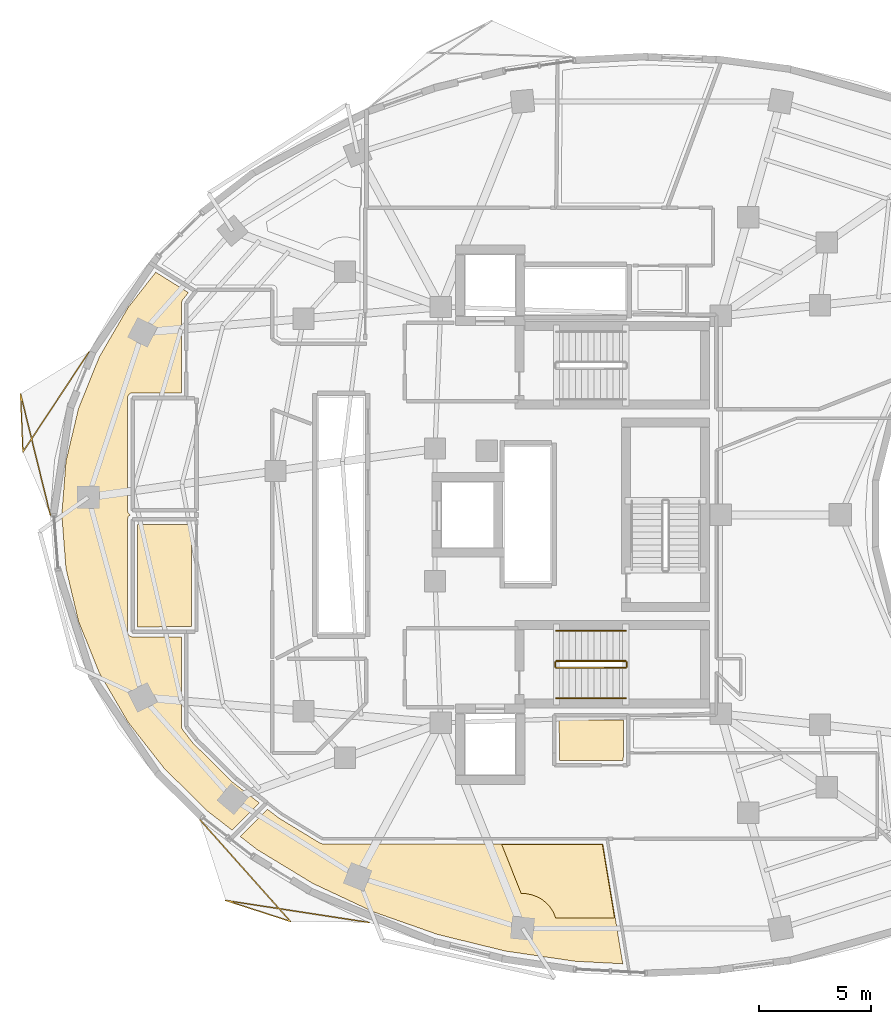
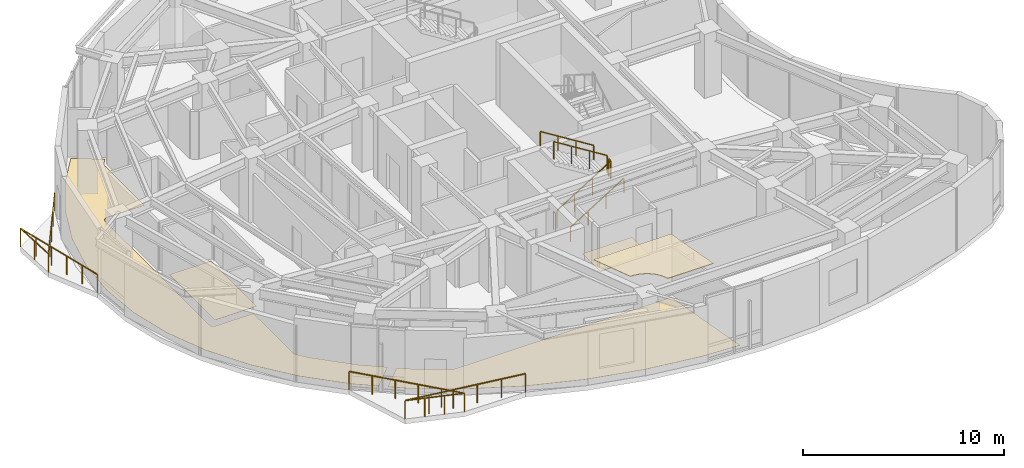
# One storey, part 11 of 13: 8 railings, 5 coverings.
"""IFC4 building model written with IfcOpenShell, lengths in metres."""

from ifc_helpers import new_model, si_unit, direction, frame, origin, origin_2d, place, context, subcontext, project, spatial, polyline, rectangle, outline, extrude, material, layer, layer_set, type_object, element, save


model = new_model("IFC4")

# Units and contexts
model_context = context("Model", 3, precision=1e-05, world=origin(), true_north=direction((0.0, 1.0)))
body_context = subcontext(model_context, "Body", "Model", "MODEL_VIEW")
ifc_project = project(units=[si_unit("LENGTHUNIT", "METRE"), si_unit("AREAUNIT", "SQUARE_METRE"), si_unit("VOLUMEUNIT", "CUBIC_METRE"), si_unit("PLANEANGLEUNIT", "RADIAN"), si_unit("MASSUNIT", "GRAM", prefix="KILO")], contexts=[model_context])

# Site, building, storey
site_placement = place(None, origin())
site = spatial("IfcSite", under=ifc_project, at=site_placement, CompositionType="ELEMENT")
building_placement = place(site_placement, origin())
building = spatial("IfcBuilding", under=site, at=building_placement, Name="Korentha Bioscience Tower", CompositionType="ELEMENT")
storey_placement = place(building_placement, frame((0.0, 0.0, 187.800048828125)))
storey = spatial("IfcBuildingStorey", under=building, at=storey_placement, Name="L43", CompositionType="ELEMENT", Elevation=187.800048828125)

# Railings
ifc_material_1 = material(Name="Stainless Steel 304", Category="steel")
railing_type_1 = type_object("IfcRailingType", Name="Brushed Stainless Stair Handrail 900", PredefinedType="HANDRAIL", material=ifc_material_1)
railing_1_placement = place(storey_placement, frame((30.25, 18.85009765625, 0.175048828125)))
element("IfcRailing", 1, at=railing_1_placement, inside=storey, type_object=railing_type_1, Name="L43 ST-2 stair handrail 1", PredefinedType="HANDRAIL", context=body_context, shape_type="SweptSolid", body=[
    extrude(rectangle(XDim=0.048095703125, YDim=0.048095703125, at=origin_2d()), frame((0.0, 0.0, 0.8759765625), z_axis=(0.848028513186, 0.0, 0.529950602248), x_axis=(0.0, 1.0, 0.0)), (0.0, 0.0, 1.0), 3.632080078125),
    extrude(rectangle(XDim=0.0419921875, YDim=0.0419921875, at=origin_2d()), origin(), (0.0, 0.0, 1.0), 0.851806640625),
    extrude(rectangle(XDim=0.0419921875, YDim=0.0419921875, at=origin_2d()), frame((1.026611328125, 0.0, 0.6416015625)), (0.0, 0.0, 1.0), 0.851806640625),
    extrude(rectangle(XDim=0.0419921875, YDim=0.0419921875, at=origin_2d()), frame((2.053466796875, 0.0, 1.283203125)), (0.0, 0.0, 1.0), 0.851806640625),
    extrude(rectangle(XDim=0.0419921875, YDim=0.0419921875, at=origin_2d()), frame((3.080078125, 0.0, 1.9248046875)), (0.0, 0.0, 1.0), 0.851806640625),
])
railing_2_placement = place(storey_placement, frame((33.330078125, 21.85009765625, 2.27490234375)))
element("IfcRailing", 2, at=railing_2_placement, inside=storey, type_object=railing_type_1, Name="L43 ST-2 stair handrail 2", PredefinedType="HANDRAIL", context=body_context, shape_type="SweptSolid", body=[
    extrude(rectangle(XDim=0.048095703125, YDim=0.048095703125, at=origin_2d()), frame((0.0, 0.0, 0.8759765625), z_axis=(-0.847998304005, 0.0, 0.529998940003), x_axis=(0.0, -1.0, 0.0)), (0.0, 0.0, 1.0), 3.632080078125),
    extrude(rectangle(XDim=0.0419921875, YDim=0.0419921875, at=origin_2d()), origin(), (0.0, 0.0, 1.0), 0.851806640625),
    extrude(rectangle(XDim=0.0419921875, YDim=0.0419921875, at=origin_2d()), frame((-1.026611328125, 0.0, 0.6416015625)), (0.0, 0.0, 1.0), 0.851806640625),
    extrude(rectangle(XDim=0.0419921875, YDim=0.0419921875, at=origin_2d()), frame((-2.053466796875, 0.0, 1.283447265625)), (0.0, 0.0, 1.0), 0.851806640625),
    extrude(rectangle(XDim=0.0419921875, YDim=0.0419921875, at=origin_2d()), frame((-3.080078125, 0.0, 1.925048828125)), (0.0, 0.0, 1.0), 0.851806640625),
])
ifc_material_2 = material(Name="Laminated Tempered Safety Glass", Category="glass")
railing_type_2 = type_object("IfcRailingType", Name="Laminated Glass Balcony Guardrail 1150", PredefinedType="BALUSTRADE", material=ifc_material_2)
railing_3_placement = place(storey_placement, frame((9.454833984375, 34.246337890625, 0.0)))
element("IfcRailing", 3, at=railing_3_placement, inside=storey, type_object=railing_type_2, Name="L43 Balcony Guardrail 02", PredefinedType="BALUSTRADE", context=body_context, shape_type="SweptSolid", body=[
    extrude(rectangle(XDim=0.048095703125, YDim=0.048095703125, at=origin_2d()), frame((0.0, 0.0, 1.1259765625), z_axis=(-0.550932164864, -0.834550028289, 0.0), x_axis=(0.834550028289, -0.550932164864, 0.0)), (0.0, 0.0, 1.0), 5.3310546875),
    extrude(rectangle(XDim=0.048095703125, YDim=0.048095703125, at=origin_2d()), frame((-2.93701171875, -4.448974609375, 1.1259765625), z_axis=(-0.040615331827, 0.99917485698, 0.0), x_axis=(-0.99917485698, -0.040615331827, 0.0)), (0.0, 0.0, 1.0), 2.5908203125),
    extrude(rectangle(XDim=0.048095703125, YDim=0.048095703125, at=origin_2d()), frame((-3.042236328125, -1.8603515625, 1.1259765625), z_axis=(0.23862888536, -0.971110835627, 0.0), x_axis=(0.971110835627, 0.23862888536, 0.0)), (0.0, 0.0, 1.0), 5.546142578125),
    extrude(rectangle(XDim=0.0419921875, YDim=0.0419921875, at=origin_2d()), origin(), (0.0, 0.0, 1.0), 1.101806640625),
    extrude(rectangle(XDim=0.0419921875, YDim=0.0419921875, at=origin_2d()), frame((-0.734375, -1.1123046875, 0.0)), (0.0, 0.0, 1.0), 1.101806640625),
    extrude(rectangle(XDim=0.0419921875, YDim=0.0419921875, at=origin_2d()), frame((-1.468505859375, -2.224609375, 0.0)), (0.0, 0.0, 1.0), 1.101806640625),
    extrude(rectangle(XDim=0.0419921875, YDim=0.0419921875, at=origin_2d()), frame((-2.20263671875, -3.336669921875, 0.0)), (0.0, 0.0, 1.0), 1.101806640625),
    extrude(rectangle(XDim=0.0419921875, YDim=0.0419921875, at=origin_2d()), frame((-2.93701171875, -4.448974609375, 0.0)), (0.0, 0.0, 1.0), 1.101806640625),
    extrude(rectangle(XDim=0.0419921875, YDim=0.0419921875, at=origin_2d()), frame((-2.98974609375, -3.15478515625, 0.0)), (0.0, 0.0, 1.0), 1.101806640625),
    extrude(rectangle(XDim=0.0419921875, YDim=0.0419921875, at=origin_2d()), frame((-3.042236328125, -1.8603515625, 0.0)), (0.0, 0.0, 1.0), 1.101806640625),
    extrude(rectangle(XDim=0.0419921875, YDim=0.0419921875, at=origin_2d()), frame((-2.777587890625, -2.9375, 0.0)), (0.0, 0.0, 1.0), 1.101806640625),
    extrude(rectangle(XDim=0.0419921875, YDim=0.0419921875, at=origin_2d()), frame((-2.512939453125, -4.0146484375, 0.0)), (0.0, 0.0, 1.0), 1.101806640625),
    extrude(rectangle(XDim=0.0419921875, YDim=0.0419921875, at=origin_2d()), frame((-2.248046875, -5.092041015625, 0.0)), (0.0, 0.0, 1.0), 1.101806640625),
    extrude(rectangle(XDim=0.0419921875, YDim=0.0419921875, at=origin_2d()), frame((-1.9833984375, -6.169189453125, 0.0)), (0.0, 0.0, 1.0), 1.101806640625),
    extrude(rectangle(XDim=0.0419921875, YDim=0.0419921875, at=origin_2d()), frame((-1.71875, -7.246337890625, 0.0)), (0.0, 0.0, 1.0), 1.101806640625),
])
railing_4_placement = place(storey_placement, frame((14.390380859375, 13.43994140625, 0.0)))
element("IfcRailing", 4, at=railing_4_placement, inside=storey, type_object=railing_type_2, Name="L43 Balcony Guardrail 03", PredefinedType="BALUSTRADE", context=body_context, shape_type="SweptSolid", body=[
    extrude(rectangle(XDim=0.048095703125, YDim=0.048095703125, at=origin_2d()), frame((0.0, 0.0, 1.1259765625), z_axis=(0.665026961632, -0.746819349175, 0.0), x_axis=(0.746819349175, 0.665026961632, 0.0)), (0.0, 0.0, 1.0), 6.05322265625),
    extrude(rectangle(XDim=0.048095703125, YDim=0.048095703125, at=origin_2d()), frame((4.025634765625, -4.520751953125, 1.1259765625), z_axis=(-0.951451462682, 0.307798820922, 0.0), x_axis=(-0.307798820922, -0.951451462682, 0.0)), (0.0, 0.0, 1.0), 3.0283203125),
    extrude(rectangle(XDim=0.048095703125, YDim=0.048095703125, at=origin_2d()), frame((1.144287109375, -3.588623046875, 1.1259765625), z_axis=(0.988382201104, -0.151988896113, 0.0), x_axis=(0.151988896113, 0.988382201104, 0.0)), (0.0, 0.0, 1.0), 6.44775390625),
    extrude(rectangle(XDim=0.0419921875, YDim=0.0419921875, at=origin_2d()), origin(), (0.0, 0.0, 1.0), 1.101806640625),
    extrude(rectangle(XDim=0.0419921875, YDim=0.0419921875, at=origin_2d()), frame((0.80517578125, -0.904052734375, 0.0)), (0.0, 0.0, 1.0), 1.101806640625),
    extrude(rectangle(XDim=0.0419921875, YDim=0.0419921875, at=origin_2d()), frame((1.6103515625, -1.808349609375, 0.0)), (0.0, 0.0, 1.0), 1.101806640625),
    extrude(rectangle(XDim=0.0419921875, YDim=0.0419921875, at=origin_2d()), frame((2.415283203125, -2.71240234375, 0.0)), (0.0, 0.0, 1.0), 1.101806640625),
    extrude(rectangle(XDim=0.0419921875, YDim=0.0419921875, at=origin_2d()), frame((3.220458984375, -3.61669921875, 0.0)), (0.0, 0.0, 1.0), 1.101806640625),
    extrude(rectangle(XDim=0.0419921875, YDim=0.0419921875, at=origin_2d()), frame((4.025634765625, -4.520751953125, 0.0)), (0.0, 0.0, 1.0), 1.101806640625),
    extrude(rectangle(XDim=0.0419921875, YDim=0.0419921875, at=origin_2d()), frame((3.065185546875, -4.2099609375, 0.0)), (0.0, 0.0, 1.0), 1.101806640625),
    extrude(rectangle(XDim=0.0419921875, YDim=0.0419921875, at=origin_2d()), frame((2.104736328125, -3.8994140625, 0.0)), (0.0, 0.0, 1.0), 1.101806640625),
    extrude(rectangle(XDim=0.0419921875, YDim=0.0419921875, at=origin_2d()), frame((1.144287109375, -3.588623046875, 0.0)), (0.0, 0.0, 1.0), 1.101806640625),
    extrude(rectangle(XDim=0.0419921875, YDim=0.0419921875, at=origin_2d()), frame((2.4189453125, -3.78466796875, 0.0)), (0.0, 0.0, 1.0), 1.101806640625),
    extrude(rectangle(XDim=0.0419921875, YDim=0.0419921875, at=origin_2d()), frame((3.693359375, -3.980712890625, 0.0)), (0.0, 0.0, 1.0), 1.101806640625),
    extrude(rectangle(XDim=0.0419921875, YDim=0.0419921875, at=origin_2d()), frame((4.968017578125, -4.176513671875, 0.0)), (0.0, 0.0, 1.0), 1.101806640625),
    extrude(rectangle(XDim=0.0419921875, YDim=0.0419921875, at=origin_2d()), frame((6.242431640625, -4.37255859375, 0.0)), (0.0, 0.0, 1.0), 1.101806640625),
    extrude(rectangle(XDim=0.0419921875, YDim=0.0419921875, at=origin_2d()), frame((7.51708984375, -4.568603515625, 0.0)), (0.0, 0.0, 1.0), 1.101806640625),
])

# Covering
ifc_material_3 = material(Name="Antimicrobial Mineral Fibre Board", Category="gypsum")
ifc_layer_1 = layer(ifc_material_3, 0.034912109375, Name="Antimicrobial Mineral Fibre Board")
ifc_layer_set_1 = layer_set([ifc_layer_1], Name="Antimicrobial Mineral Fibre Board (CL-MF35)")
covering_type_1 = type_object("IfcCoveringType", Name="Mineral-Fibre Cleanroom Suspended Ceiling 35", PredefinedType="CEILING", material=ifc_layer_set_1)
covering_1_placement = place(storey_placement, frame((0.0, 0.0, 3.864990234375)))
element("IfcCovering", 5, at=covering_1_placement, inside=storey, type_object=covering_type_1, Name="L43 Principal Investigator Office 03 Acoustic Ceiling", PredefinedType="CEILING", context=body_context, shape_type="SweptSolid", body=[
    extrude(outline(polyline([(32.833740234375, 9.06640625), (30.219970703125, 9.06787109375), (30.106689453125, 9.340087890625), (29.937744140625, 9.5927734375), (29.835693359375, 9.70556640625), (29.6005859375, 9.898193359375), (29.47021484375, 9.9765625), (29.189453125, 10.0927734375), (28.8916015625, 10.152099609375), (28.68310546875, 10.15673828125), (27.81396484375, 12.340087890625), (32.2919921875, 12.340087890625), (32.833740234375, 9.06640625)])), origin(), (0.0, 0.0, 1.0), 0.034912109375),
])

# Railings
ifc_material_4 = material(Name="Painted Steel S275", Category="steel")
railing_type_3 = type_object("IfcRailingType", Name="Painted Steel Stair Well Guardrail 1100", PredefinedType="GUARDRAIL", material=ifc_material_4)
railing_5_placement = place(storey_placement, frame((30.25, 20.199951171875, 0.175048828125)))
element("IfcRailing", 6, at=railing_5_placement, inside=storey, type_object=railing_type_3, Name="L43 ST-2 stair guard 1", PredefinedType="GUARDRAIL", context=body_context, shape_type="SweptSolid", body=[
    extrude(rectangle(XDim=0.048095703125, YDim=0.048095703125, at=origin_2d()), frame((0.0, 0.0, 1.076171875), z_axis=(0.848028513186, 0.0, 0.529950602248), x_axis=(0.0, 1.0, 0.0)), (0.0, 0.0, 1.0), 3.632080078125),
    extrude(rectangle(XDim=0.0419921875, YDim=0.0419921875, at=origin_2d()), origin(), (0.0, 0.0, 1.0), 1.052001953125),
    extrude(rectangle(XDim=0.0419921875, YDim=0.0419921875, at=origin_2d()), frame((1.026611328125, 0.0, 0.6416015625)), (0.0, 0.0, 1.0), 1.052001953125),
    extrude(rectangle(XDim=0.0419921875, YDim=0.0419921875, at=origin_2d()), frame((2.053466796875, 0.0, 1.283203125)), (0.0, 0.0, 1.0), 1.052001953125),
    extrude(rectangle(XDim=0.0419921875, YDim=0.0419921875, at=origin_2d()), frame((3.080078125, 0.0, 1.9248046875)), (0.0, 0.0, 1.0), 1.052001953125),
])
railing_6_placement = place(storey_placement, frame((33.3798828125, 20.25, 2.099853515625)))
element("IfcRailing", 7, at=railing_6_placement, inside=storey, type_object=railing_type_3, Name="L43 ST-2 stair guard 2", PredefinedType="GUARDRAIL", context=body_context, shape_type="SweptSolid", body=[
    extrude(rectangle(XDim=0.048095703125, YDim=0.048095703125, at=origin_2d()), frame((0.0, 0.0, 1.076171875), z_axis=(0.0, 1.0, 0.0), x_axis=(-1.0, 0.0, 0.0)), (0.0, 0.0, 1.0), 0.199951171875),
    extrude(rectangle(XDim=0.0419921875, YDim=0.0419921875, at=origin_2d()), origin(), (0.0, 0.0, 1.0), 1.052001953125),
    extrude(rectangle(XDim=0.0419921875, YDim=0.0419921875, at=origin_2d()), frame((0.0, 0.199951171875, 0.0)), (0.0, 0.0, 1.0), 1.052001953125),
])
railing_7_placement = place(storey_placement, frame((33.330078125, 20.5, 2.27490234375)))
element("IfcRailing", 8, at=railing_7_placement, inside=storey, type_object=railing_type_3, Name="L43 ST-2 stair guard 3", PredefinedType="GUARDRAIL", context=body_context, shape_type="SweptSolid", body=[
    extrude(rectangle(XDim=0.048095703125, YDim=0.048095703125, at=origin_2d()), frame((0.0, 0.0, 1.076171875), z_axis=(-0.847998304005, 0.0, 0.529998940003), x_axis=(0.0, -1.0, 0.0)), (0.0, 0.0, 1.0), 3.632080078125),
    extrude(rectangle(XDim=0.0419921875, YDim=0.0419921875, at=origin_2d()), origin(), (0.0, 0.0, 1.0), 1.052001953125),
    extrude(rectangle(XDim=0.0419921875, YDim=0.0419921875, at=origin_2d()), frame((-1.026611328125, 0.0, 0.6416015625)), (0.0, 0.0, 1.0), 1.052001953125),
    extrude(rectangle(XDim=0.0419921875, YDim=0.0419921875, at=origin_2d()), frame((-2.053466796875, 0.0, 1.283447265625)), (0.0, 0.0, 1.0), 1.052001953125),
    extrude(rectangle(XDim=0.0419921875, YDim=0.0419921875, at=origin_2d()), frame((-3.080078125, 0.0, 1.925048828125)), (0.0, 0.0, 1.0), 1.052001953125),
])
railing_8_placement = place(storey_placement, frame((30.199951171875, 20.25, 0.0)))
element("IfcRailing", 9, at=railing_8_placement, inside=storey, type_object=railing_type_3, Name="L43 ST-2 stair guard 4", PredefinedType="GUARDRAIL", context=body_context, shape_type="SweptSolid", body=[
    extrude(rectangle(XDim=0.048095703125, YDim=0.048095703125, at=origin_2d()), frame((0.0, 0.0, 1.076171875), z_axis=(0.0, 1.0, 0.0), x_axis=(-1.0, 0.0, 0.0)), (0.0, 0.0, 1.0), 0.199951171875),
    extrude(rectangle(XDim=0.0419921875, YDim=0.0419921875, at=origin_2d()), origin(), (0.0, 0.0, 1.0), 1.052001953125),
    extrude(rectangle(XDim=0.0419921875, YDim=0.0419921875, at=origin_2d()), frame((0.0, 0.199951171875, 0.0)), (0.0, 0.0, 1.0), 1.052001953125),
])

# Coverings
ifc_material_5 = material(Name="Chemical-Resistant Epoxy Resin", Category="polymer")
ifc_layer_2 = layer(ifc_material_5, 0.011962890625, Name="Chemical-Resistant Epoxy Resin")
ifc_layer_set_2 = layer_set([ifc_layer_2], Name="Chemical-Resistant Epoxy Resin (FL-EPX)")
covering_type_2 = type_object("IfcCoveringType", Name="Seamless Epoxy Laboratory Flooring 12", PredefinedType="FLOORING", material=ifc_layer_set_2)
covering_2_placement = place(storey_placement, origin())
element("IfcCovering", 10, at=covering_2_placement, inside=storey, type_object=covering_type_2, Name="L43 Core Instrumentation and Gas Store Floor Finish", PredefinedType="FLOORING", context=body_context, shape_type="SweptSolid", body=[
    extrude(outline(polyline([(33.22998046875, 17.8701171875), (33.219970703125, 16.080078125), (30.3798828125, 16.080078125), (30.371337890625, 17.8701171875), (33.22998046875, 17.8701171875)])), origin(), (0.0, 0.0, 1.0), 0.011962890625),
])
covering_3_placement = place(storey_placement, origin())
element("IfcCovering", 11, at=covering_3_placement, inside=storey, type_object=covering_type_2, Name="L43 Reclaimed Bank-1 Cold Freezer Alcove Floor Finish", PredefinedType="FLOORING", context=body_context, shape_type="SweptSolid", body=[
    extrude(outline(polyline([(14.02001953125, 22.030029296875), (11.6201171875, 22.02099609375), (11.6201171875, 26.580078125), (14.02001953125, 26.580078125), (14.02001953125, 22.030029296875)])), origin(), (0.0, 0.0, 1.0), 0.011962890625),
])
covering_4_placement = place(storey_placement, origin())
element("IfcCovering", 12, at=covering_4_placement, inside=storey, type_object=covering_type_2, Name="L43 Biospecimen Archive Store 01 Floor Finish", PredefinedType="FLOORING", context=body_context, shape_type="SweptSolid", body=[
    extrude(outline(polyline([(8.43408203125, 29.38330078125), (8.9921875, 31.735107421875), (9.9140625, 34.021240234375), (11.189208984375, 36.21142578125), (12.426513671875, 37.794189453125), (13.87646484375, 36.888671875), (13.612060546875, 36.5498046875), (13.5703125, 36.4287109375), (13.570068359375, 32.429931640625), (11.38818359375, 32.4296875), (11.322021484375, 32.41650390625), (11.245849609375, 32.37060546875), (11.1767578125, 32.25537109375), (11.169921875, 27.199951171875), (11.202392578125, 27.082275390625), (11.286865234375, 27.0), (11.202392578125, 26.917724609375), (11.169921875, 26.800048828125), (11.17236328125, 21.7666015625), (11.1923828125, 21.701171875), (11.2451171875, 21.6298828125), (11.302001953125, 21.591796875), (11.38818359375, 21.5703125), (13.570068359375, 21.570068359375), (13.570068359375, 17.58251953125), (13.5908203125, 17.487060546875), (14.073974609375, 16.859619140625), (15.839111328125, 15.115234375), (17.037109375, 14.185302734375), (15.82763671875, 12.971923828125), (14.727294921875, 13.82421875), (12.801025390625, 15.726806640625), (11.189453125, 17.788330078125), (9.914306640625, 19.978271484375), (8.991943359375, 22.26513671875), (8.43408203125, 24.616455078125), (8.24755859375, 27.0), (8.43408203125, 29.38330078125)])), origin(), (0.0, 0.0, 1.0), 0.011962890625),
])
covering_5_placement = place(storey_placement, origin())
element("IfcCovering", 13, at=covering_5_placement, inside=storey, type_object=covering_type_2, Name="L43 Principal Investigator Office 03 Floor Finish", PredefinedType="FLOORING", context=body_context, shape_type="SweptSolid", body=[
    extrude(outline(polyline([(22.10107421875, 9.343994140625), (19.410888671875, 10.6083984375), (16.94091796875, 12.109375), (16.186279296875, 12.694091796875), (17.394775390625, 13.906982421875), (17.9169921875, 13.505615234375), (19.730224609375, 12.403564453125), (19.81884765625, 12.3720703125), (32.3173828125, 12.3701171875), (33.20068359375, 7.03369140625), (31.0888671875, 7.14404296875), (27.983154296875, 7.598388671875), (24.972412109375, 8.33544921875), (22.10107421875, 9.343994140625)])), origin(), (0.0, 0.0, 1.0), 0.011962890625),
])

save(model, "model.ifc")
